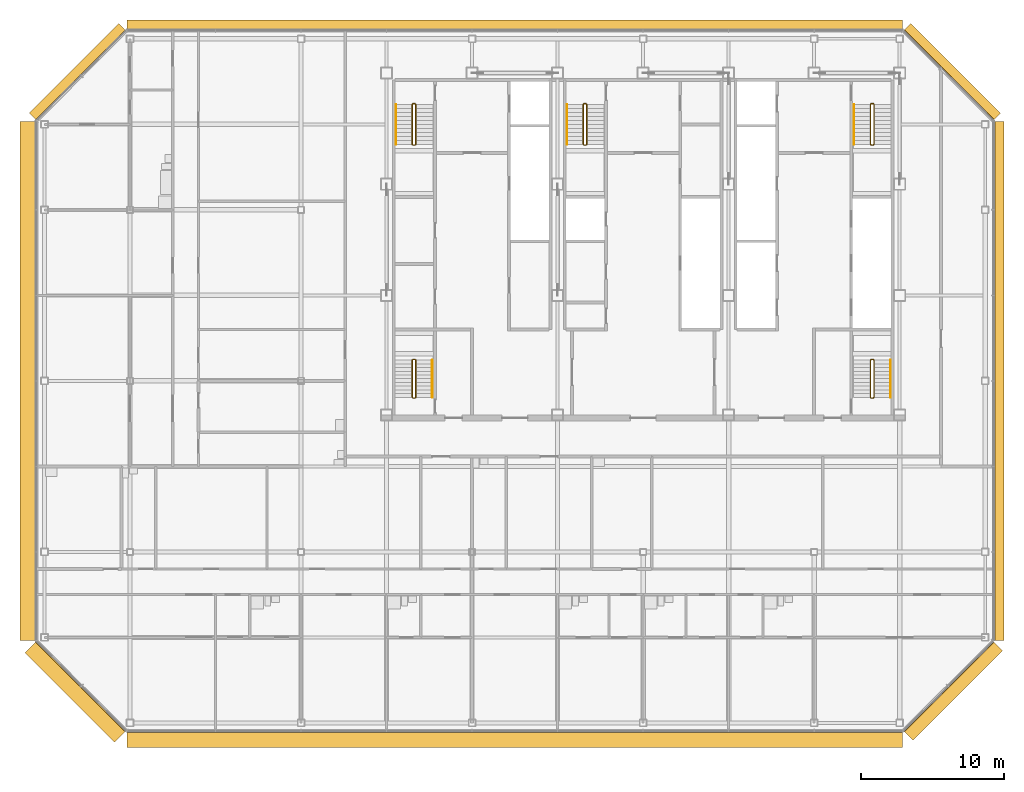
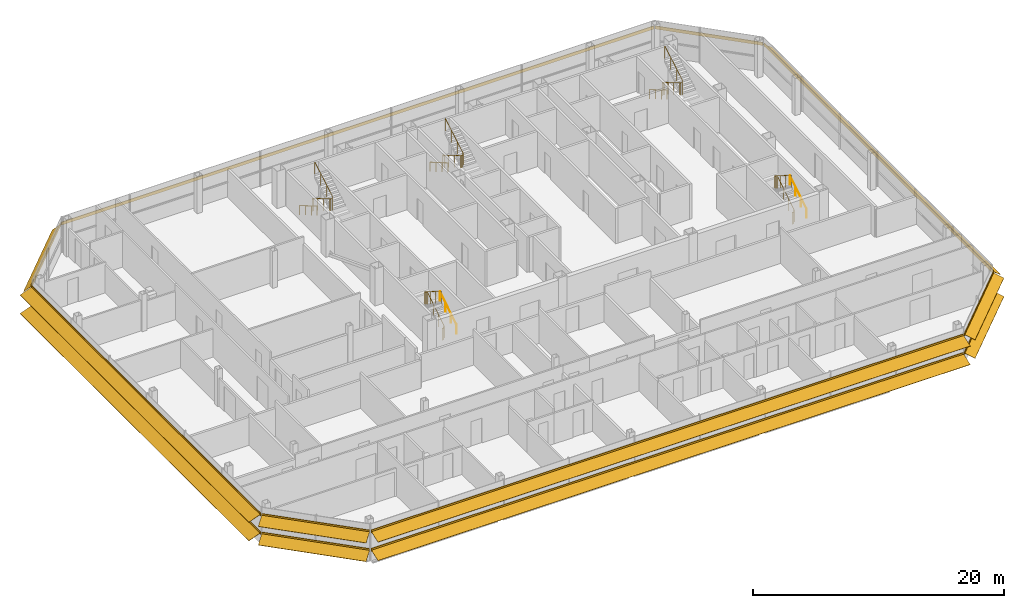
# One storey, part 27 of 28: 10 railings, 8 shading devices.
"""IFC4 building model written with IfcOpenShell, lengths in metres."""

from ifc_helpers import new_model, si_unit, direction, frame, origin, origin_2d, place, context, subcontext, project, spatial, polyline, circle, outline, composite_profile, extrude, material, type_object, element, save


model = new_model("IFC4")

# Units and contexts
model_context = context("Model", 3, precision=1e-05, world=origin(), true_north=direction((0.0, 1.0)))
body_context = subcontext(model_context, "Body", "Model", "MODEL_VIEW")
ifc_project = project(units=[si_unit("LENGTHUNIT", "METRE"), si_unit("AREAUNIT", "SQUARE_METRE"), si_unit("VOLUMEUNIT", "CUBIC_METRE"), si_unit("PLANEANGLEUNIT", "RADIAN"), si_unit("MASSUNIT", "GRAM", prefix="KILO")], contexts=[model_context])

# Site, building, storey
site_placement = place(None, origin())
site = spatial("IfcSite", under=ifc_project, at=site_placement, CompositionType="ELEMENT")
building_placement = place(site_placement, origin())
building = spatial("IfcBuilding", under=site, at=building_placement, Name="Sorahane Residences", CompositionType="ELEMENT")
storey_placement = place(building_placement, frame((0.0, 0.0, 308.800048828125)))
storey = spatial("IfcBuildingStorey", under=building, at=storey_placement, Name="L73", CompositionType="ELEMENT", Elevation=308.800048828125)

# Shading devices
ifc_material_1 = material(Name="Terracotta anodised aluminium", Category="masonry")
shading_device_type_1 = type_object("IfcShadingDeviceType", Name="Louvre sunshade blade E terracotta aluminium 700", PredefinedType="JALOUSIE", material=ifc_material_1)
shading_device_1_placement = place(storey_placement, frame((48.60009765625, 5.801513671875, 2.699951171875), z_axis=(0.0, 1.0, 0.0), x_axis=(-1.0, 0.0, 0.0)))
element("IfcShadingDevice", 1, at=shading_device_1_placement, inside=storey, type_object=shading_device_type_1, Name="Louvre sunshade blade bank E L73 E1", PredefinedType="JALOUSIE", context=body_context, shape_type="SweptSolid", body=[
    extrude(outline(polyline([(-0.719970703125, -0.49365234375), (-0.719970703125, -0.523681640625), (-0.080078125, -0.05859375), (-0.080078125, -0.14990234375), (-0.02001953125, -0.14990234375), (-0.02001953125, -0.014892578125), (-0.02001953125, 0.014892578125), (-0.02001953125, 0.14990234375), (-0.080078125, 0.14990234375), (-0.080078125, -0.028564453125), (-0.719970703125, -0.49365234375)])), origin(), (0.0, 0.0, 1.0), 36.39697265625),
])
ifc_material_2 = material(Name="Terracotta anodised aluminium", Category="masonry")
shading_device_type_2 = type_object("IfcShadingDeviceType", Name="Louvre sunshade blade N terracotta aluminium 700", PredefinedType="JALOUSIE", material=ifc_material_2)
shading_device_2_placement = place(storey_placement, frame((42.198486328125, 48.60009765625, 2.699951171875), z_axis=(-1.0, 0.0, 0.0), x_axis=(0.0, -1.0, 0.0)))
element("IfcShadingDevice", 2, at=shading_device_2_placement, inside=storey, type_object=shading_device_type_2, Name="Louvre sunshade blade bank N L73 N1", PredefinedType="JALOUSIE", context=body_context, shape_type="SweptSolid", body=[
    extrude(outline(polyline([(-0.719970703125, -0.660888671875), (-0.719970703125, -0.69091796875), (-0.080078125, -0.072998046875), (-0.080078125, -0.14990234375), (-0.02001953125, -0.14990234375), (-0.02001953125, -0.014892578125), (-0.02001953125, 0.014892578125), (-0.02001953125, 0.14990234375), (-0.080078125, 0.14990234375), (-0.080078125, -0.04296875), (-0.719970703125, -0.660888671875)])), origin(), (0.0, 0.0, 1.0), 54.39697265625),
])
ifc_material_3 = material(Name="Terracotta anodised aluminium", Category="masonry")
shading_device_type_3 = type_object("IfcShadingDeviceType", Name="Louvre sunshade blade NE terracotta aluminium 700", PredefinedType="JALOUSIE", material=ifc_material_3)
shading_device_3_placement = place(storey_placement, frame((48.564697265625, 42.283935546875, 2.699951171875), z_axis=(-0.707106781187, 0.707106781187, 0.0), x_axis=(-0.707106781187, -0.707106781187, 0.0)))
element("IfcShadingDevice", 3, at=shading_device_3_placement, inside=storey, type_object=shading_device_type_3, Name="Louvre sunshade blade bank NE L73 NE1", PredefinedType="JALOUSIE", context=body_context, shape_type="SweptSolid", body=[
    extrude(outline(polyline([(-0.719970703125, -0.572509765625), (-0.719970703125, -0.602294921875), (-0.080078125, -0.065185546875), (-0.080078125, -0.14990234375), (-0.02001953125, -0.14990234375), (-0.02001953125, -0.014892578125), (-0.02001953125, 0.014892578125), (-0.02001953125, 0.14990234375), (-0.080078125, 0.14990234375), (-0.080078125, -0.035400390625), (-0.719970703125, -0.572509765625)])), origin(), (0.0, 0.0, 1.0), 8.88232421875),
])
ifc_material_4 = material(Name="Terracotta anodised aluminium", Category="masonry")
shading_device_type_4 = type_object("IfcShadingDeviceType", Name="Louvre sunshade blade NW terracotta aluminium 700", PredefinedType="JALOUSIE", material=ifc_material_4)
shading_device_4_placement = place(storey_placement, frame((-12.283935546875, 48.564697265625, 2.699951171875), z_axis=(-0.707106781187, -0.707106781187, 0.0), x_axis=(0.707106781187, -0.707106781187, 0.0)))
element("IfcShadingDevice", 4, at=shading_device_4_placement, inside=storey, type_object=shading_device_type_4, Name="Louvre sunshade blade bank NW L73 NW1", PredefinedType="JALOUSIE", context=body_context, shape_type="SweptSolid", body=[
    extrude(outline(polyline([(-0.719970703125, -0.660888671875), (-0.719970703125, -0.69091796875), (-0.080078125, -0.072998046875), (-0.080078125, -0.14990234375), (-0.02001953125, -0.14990234375), (-0.02001953125, -0.014892578125), (-0.02001953125, 0.014892578125), (-0.02001953125, 0.14990234375), (-0.080078125, 0.14990234375), (-0.080078125, -0.04296875), (-0.719970703125, -0.660888671875)])), origin(), (0.0, 0.0, 1.0), 8.88232421875),
])
ifc_material_5 = material(Name="Terracotta anodised aluminium", Category="masonry")
shading_device_type_5 = type_object("IfcShadingDeviceType", Name="Louvre sunshade blade S terracotta aluminium 1100", PredefinedType="JALOUSIE", material=ifc_material_5)
shading_device_5_placement = place(storey_placement, frame((-12.198486328125, -0.60009765625, 0.89990234375), z_axis=(1.0, 0.0, 0.0), x_axis=(0.0, 1.0, 0.0)))
element("IfcShadingDevice", 5, at=shading_device_5_placement, inside=storey, type_object=shading_device_type_5, Name="Louvre sunshade blade bank S L73 S1", PredefinedType="JALOUSIE", context=body_context, shape_type="SweptSolid", body=[
    extrude(composite_profile([outline(polyline([(-1.1201171875, -0.385498046875), (-1.1201171875, -0.415283203125), (-0.080078125, -0.036865234375), (-0.080078125, -0.14990234375), (-0.02001953125, -0.14990234375), (-0.02001953125, -0.014892578125), (-0.02001953125, 0.014892578125), (-0.02001953125, 0.14990234375), (-0.080078125, 0.14990234375), (-0.080078125, -0.0068359375), (-1.1201171875, -0.385498046875)])), outline(polyline([(-1.1201171875, 1.41455078125), (-1.1201171875, 1.384521484375), (-0.080078125, 1.76318359375), (-0.080078125, 1.64990234375), (-0.02001953125, 1.64990234375), (-0.02001953125, 1.784912109375), (-0.02001953125, 1.81494140625), (-0.02001953125, 1.949951171875), (-0.080078125, 1.949951171875), (-0.080078125, 1.793212890625), (-1.1201171875, 1.41455078125)]))]), origin(), (0.0, 0.0, 1.0), 54.39697265625),
])
ifc_material_6 = material(Name="Terracotta anodised aluminium", Category="masonry")
shading_device_type_6 = type_object("IfcShadingDeviceType", Name="Louvre sunshade blade SE terracotta aluminium 900", PredefinedType="JALOUSIE", material=ifc_material_6)
shading_device_6_placement = place(storey_placement, frame((42.283935546875, -0.564697265625, 0.89990234375), z_axis=(0.707106781187, 0.707106781187, 0.0), x_axis=(-0.707106781187, 0.707106781187, 0.0)))
element("IfcShadingDevice", 6, at=shading_device_6_placement, inside=storey, type_object=shading_device_type_6, Name="Louvre sunshade blade bank SE L73 SE1", PredefinedType="JALOUSIE", context=body_context, shape_type="SweptSolid", body=[
    extrude(composite_profile([outline(polyline([(-0.919921875, -0.3486328125), (-0.919921875, -0.378662109375), (-0.080078125, -0.039306640625), (-0.080078125, -0.14990234375), (-0.02001953125, -0.14990234375), (-0.02001953125, -0.014892578125), (-0.02001953125, 0.014892578125), (-0.02001953125, 0.14990234375), (-0.080078125, 0.14990234375), (-0.080078125, -0.00927734375), (-0.919921875, -0.3486328125)])), outline(polyline([(-0.919921875, 1.451416015625), (-0.919921875, 1.42138671875), (-0.080078125, 1.7607421875), (-0.080078125, 1.64990234375), (-0.02001953125, 1.64990234375), (-0.02001953125, 1.784912109375), (-0.02001953125, 1.81494140625), (-0.02001953125, 1.949951171875), (-0.080078125, 1.949951171875), (-0.080078125, 1.790771484375), (-0.919921875, 1.451416015625)]))]), origin(), (0.0, 0.0, 1.0), 8.88232421875),
])
ifc_material_7 = material(Name="Terracotta anodised aluminium", Category="masonry")
shading_device_type_7 = type_object("IfcShadingDeviceType", Name="Louvre sunshade blade SW terracotta aluminium 1100", PredefinedType="JALOUSIE", material=ifc_material_7)
shading_device_7_placement = place(storey_placement, frame((-18.564697265625, 5.716064453125, 0.89990234375), z_axis=(0.707106781187, -0.707106781187, 0.0), x_axis=(0.707106781187, 0.707106781187, 0.0)))
element("IfcShadingDevice", 7, at=shading_device_7_placement, inside=storey, type_object=shading_device_type_7, Name="Louvre sunshade blade bank SW L73 SW1", PredefinedType="JALOUSIE", context=body_context, shape_type="SweptSolid", body=[
    extrude(composite_profile([outline(polyline([(-1.1201171875, -0.385498046875), (-1.1201171875, -0.415283203125), (-0.080078125, -0.036865234375), (-0.080078125, -0.14990234375), (-0.02001953125, -0.14990234375), (-0.02001953125, -0.014892578125), (-0.02001953125, 0.014892578125), (-0.02001953125, 0.14990234375), (-0.080078125, 0.14990234375), (-0.080078125, -0.0068359375), (-1.1201171875, -0.385498046875)])), outline(polyline([(-1.1201171875, 1.41455078125), (-1.1201171875, 1.384521484375), (-0.080078125, 1.76318359375), (-0.080078125, 1.64990234375), (-0.02001953125, 1.64990234375), (-0.02001953125, 1.784912109375), (-0.02001953125, 1.81494140625), (-0.02001953125, 1.949951171875), (-0.080078125, 1.949951171875), (-0.080078125, 1.793212890625), (-1.1201171875, 1.41455078125)]))]), origin(), (0.0, 0.0, 1.0), 8.88232421875),
])
ifc_material_8 = material(Name="Terracotta anodised aluminium", Category="masonry")
shading_device_type_8 = type_object("IfcShadingDeviceType", Name="Louvre sunshade blade W terracotta aluminium 1100", PredefinedType="JALOUSIE", material=ifc_material_8)
shading_device_8_placement = place(storey_placement, frame((-18.60009765625, 42.198486328125, 0.89990234375), z_axis=(0.0, -1.0, 0.0), x_axis=(1.0, 0.0, 0.0)))
element("IfcShadingDevice", 8, at=shading_device_8_placement, inside=storey, type_object=shading_device_type_8, Name="Louvre sunshade blade bank W L73 W1", PredefinedType="JALOUSIE", context=body_context, shape_type="SweptSolid", body=[
    extrude(composite_profile([outline(polyline([(-1.1201171875, -0.385498046875), (-1.1201171875, -0.415283203125), (-0.080078125, -0.036865234375), (-0.080078125, -0.14990234375), (-0.02001953125, -0.14990234375), (-0.02001953125, -0.014892578125), (-0.02001953125, 0.014892578125), (-0.02001953125, 0.14990234375), (-0.080078125, 0.14990234375), (-0.080078125, -0.0068359375), (-1.1201171875, -0.385498046875)])), outline(polyline([(-1.1201171875, 1.41455078125), (-1.1201171875, 1.384521484375), (-0.080078125, 1.76318359375), (-0.080078125, 1.64990234375), (-0.02001953125, 1.64990234375), (-0.02001953125, 1.784912109375), (-0.02001953125, 1.81494140625), (-0.02001953125, 1.949951171875), (-0.080078125, 1.949951171875), (-0.080078125, 1.793212890625), (-1.1201171875, 1.41455078125)]))]), origin(), (0.0, 0.0, 1.0), 36.39697265625),
])

# Railings
ifc_material_9 = material(Name="Steel Q355B", Category="steel")
railing_type_1 = type_object("IfcRailingType", Name="Stair guard 1200 Steel Q355B", PredefinedType="GUARDRAIL", material=ifc_material_9)
railing_1_placement = place(storey_placement, frame((8.0, 43.449951171875, 0.0)))
element("IfcRailing", 9, at=railing_1_placement, inside=storey, type_object=railing_type_1, Name="L73 S1 stair guard 1", PredefinedType="GUARDRAIL", context=body_context, shape_type="SweptSolid", body=[
    extrude(circle(Radius=0.02392578125, at=origin_2d()), frame((0.0, 0.0, 1.17578125), z_axis=(-1.0, 0.0, 0.0), x_axis=(0.0, -1.0, 0.0)), (0.0, 0.0, 1.0), 0.14990234375),
    extrude(circle(Radius=0.02392578125, at=origin_2d()), frame((-0.14990234375, 0.0, 1.17578125), z_axis=(-0.280808744504, -0.280808744504, 0.917765164963), x_axis=(0.707106781187, -0.707106781187, 0.0)), (0.0, 0.0, 1.0), 0.17822265625),
    extrude(circle(Radius=0.02392578125, at=origin_2d()), frame((-0.199951171875, -0.050048828125, 1.33935546875), z_axis=(0.0, -0.863341702679, 0.504619762213), x_axis=(1.0, 0.0, 0.0)), (0.0, 0.0, 1.0), 3.242919921875),
    extrude(circle(Radius=0.02392578125, at=origin_2d()), frame((-0.199951171875, -2.849853515625, 2.97607421875), z_axis=(0.707106781187, -0.707106781187, 0.0), x_axis=(0.707106781187, 0.707106781187, 0.0)), (0.0, 0.0, 1.0), 0.07080078125),
    extrude(circle(Radius=0.02392578125, at=origin_2d()), frame((-0.14990234375, -2.89990234375, 2.97607421875), z_axis=(1.0, 0.0, 0.0), x_axis=(0.0, 1.0, 0.0)), (0.0, 0.0, 1.0), 0.14990234375),
    extrude(circle(Radius=0.02392578125, at=origin_2d()), frame((0.0, -2.89990234375, 2.97607421875), z_axis=(0.280808744504, 0.280808744504, 0.917765164963), x_axis=(-0.707106781187, 0.707106781187, 0.0)), (0.0, 0.0, 1.0), 0.17822265625),
    extrude(circle(Radius=0.02392578125, at=origin_2d()), frame((0.050048828125, -2.849853515625, 3.1396484375), z_axis=(0.0, 0.863374499697, 0.504563646405), x_axis=(-1.0, 0.0, 0.0)), (0.0, 0.0, 1.0), 3.242919921875),
    extrude(circle(Radius=0.02099609375, at=origin_2d()), origin(), (0.0, 0.0, 1.0), 1.15185546875),
    extrude(circle(Radius=0.02099609375, at=origin_2d()), frame((-0.14990234375, 0.0, 0.0)), (0.0, 0.0, 1.0), 1.15185546875),
    extrude(circle(Radius=0.02099609375, at=origin_2d()), frame((-0.199951171875, -0.050048828125, 0.16357421875)), (0.0, 0.0, 1.0), 1.15185546875),
    extrude(circle(Radius=0.02099609375, at=origin_2d()), frame((-0.199951171875, -0.9833984375, 0.708984375)), (0.0, 0.0, 1.0), 1.15185546875),
    extrude(circle(Radius=0.02099609375, at=origin_2d()), frame((-0.199951171875, -1.91650390625, 1.254638671875)), (0.0, 0.0, 1.0), 1.15185546875),
    extrude(circle(Radius=0.02099609375, at=origin_2d()), frame((-0.199951171875, -2.849853515625, 1.800048828125)), (0.0, 0.0, 1.0), 1.15185546875),
    extrude(circle(Radius=0.02099609375, at=origin_2d()), frame((-0.14990234375, -2.89990234375, 1.800048828125)), (0.0, 0.0, 1.0), 1.15185546875),
    extrude(circle(Radius=0.02099609375, at=origin_2d()), frame((0.0, -2.89990234375, 1.800048828125)), (0.0, 0.0, 1.0), 1.15185546875),
    extrude(circle(Radius=0.02099609375, at=origin_2d()), frame((0.050048828125, -2.849853515625, 1.963623046875)), (0.0, 0.0, 1.0), 1.15185546875),
    extrude(circle(Radius=0.02099609375, at=origin_2d()), frame((0.050048828125, -1.91650390625, 2.509033203125)), (0.0, 0.0, 1.0), 1.15185546875),
    extrude(circle(Radius=0.02099609375, at=origin_2d()), frame((0.050048828125, -0.9833984375, 3.054443359375)), (0.0, 0.0, 1.0), 1.15185546875),
    extrude(circle(Radius=0.02099609375, at=origin_2d()), frame((0.050048828125, -0.050048828125, 3.599853515625)), (0.0, 0.0, 1.0), 1.15185546875),
])
railing_2_placement = place(storey_placement, frame((40.14990234375, 43.449951171875, 0.0)))
element("IfcRailing", 10, at=railing_2_placement, inside=storey, type_object=railing_type_1, Name="L73 S2 stair guard 1", PredefinedType="GUARDRAIL", context=body_context, shape_type="SweptSolid", body=[
    extrude(circle(Radius=0.02392578125, at=origin_2d()), frame((0.0, 0.0, 1.17578125), z_axis=(-1.0, 0.0, 0.0), x_axis=(0.0, -1.0, 0.0)), (0.0, 0.0, 1.0), 0.14990234375),
    extrude(circle(Radius=0.02392578125, at=origin_2d()), frame((-0.14990234375, 0.0, 1.17578125), z_axis=(-0.280808744504, -0.280808744504, 0.917765164963), x_axis=(0.707106781187, -0.707106781187, 0.0)), (0.0, 0.0, 1.0), 0.17822265625),
    extrude(circle(Radius=0.02392578125, at=origin_2d()), frame((-0.199951171875, -0.050048828125, 1.33935546875), z_axis=(0.0, -0.863341702679, 0.504619762213), x_axis=(1.0, 0.0, 0.0)), (0.0, 0.0, 1.0), 3.242919921875),
    extrude(circle(Radius=0.02392578125, at=origin_2d()), frame((-0.199951171875, -2.849853515625, 2.97607421875), z_axis=(0.707106781187, -0.707106781187, 0.0), x_axis=(0.707106781187, 0.707106781187, 0.0)), (0.0, 0.0, 1.0), 0.07080078125),
    extrude(circle(Radius=0.02392578125, at=origin_2d()), frame((-0.14990234375, -2.89990234375, 2.97607421875), z_axis=(1.0, 0.0, 0.0), x_axis=(0.0, 1.0, 0.0)), (0.0, 0.0, 1.0), 0.14990234375),
    extrude(circle(Radius=0.02392578125, at=origin_2d()), frame((0.0, -2.89990234375, 2.97607421875), z_axis=(0.280808744504, 0.280808744504, 0.917765164963), x_axis=(-0.707106781187, 0.707106781187, 0.0)), (0.0, 0.0, 1.0), 0.17822265625),
    extrude(circle(Radius=0.02392578125, at=origin_2d()), frame((0.050048828125, -2.849853515625, 3.1396484375), z_axis=(0.0, 0.863374499697, 0.504563646405), x_axis=(-1.0, 0.0, 0.0)), (0.0, 0.0, 1.0), 3.242919921875),
    extrude(circle(Radius=0.02099609375, at=origin_2d()), origin(), (0.0, 0.0, 1.0), 1.15185546875),
    extrude(circle(Radius=0.02099609375, at=origin_2d()), frame((-0.14990234375, 0.0, 0.0)), (0.0, 0.0, 1.0), 1.15185546875),
    extrude(circle(Radius=0.02099609375, at=origin_2d()), frame((-0.199951171875, -0.050048828125, 0.16357421875)), (0.0, 0.0, 1.0), 1.15185546875),
    extrude(circle(Radius=0.02099609375, at=origin_2d()), frame((-0.199951171875, -0.9833984375, 0.708984375)), (0.0, 0.0, 1.0), 1.15185546875),
    extrude(circle(Radius=0.02099609375, at=origin_2d()), frame((-0.199951171875, -1.91650390625, 1.254638671875)), (0.0, 0.0, 1.0), 1.15185546875),
    extrude(circle(Radius=0.02099609375, at=origin_2d()), frame((-0.199951171875, -2.849853515625, 1.800048828125)), (0.0, 0.0, 1.0), 1.15185546875),
    extrude(circle(Radius=0.02099609375, at=origin_2d()), frame((-0.14990234375, -2.89990234375, 1.800048828125)), (0.0, 0.0, 1.0), 1.15185546875),
    extrude(circle(Radius=0.02099609375, at=origin_2d()), frame((0.0, -2.89990234375, 1.800048828125)), (0.0, 0.0, 1.0), 1.15185546875),
    extrude(circle(Radius=0.02099609375, at=origin_2d()), frame((0.050048828125, -2.849853515625, 1.963623046875)), (0.0, 0.0, 1.0), 1.15185546875),
    extrude(circle(Radius=0.02099609375, at=origin_2d()), frame((0.050048828125, -1.91650390625, 2.509033203125)), (0.0, 0.0, 1.0), 1.15185546875),
    extrude(circle(Radius=0.02099609375, at=origin_2d()), frame((0.050048828125, -0.9833984375, 3.054443359375)), (0.0, 0.0, 1.0), 1.15185546875),
    extrude(circle(Radius=0.02099609375, at=origin_2d()), frame((0.050048828125, -0.050048828125, 3.599853515625)), (0.0, 0.0, 1.0), 1.15185546875),
])
railing_3_placement = place(storey_placement, frame((20.0, 43.449951171875, 0.0)))
element("IfcRailing", 11, at=railing_3_placement, inside=storey, type_object=railing_type_1, Name="L73 S3 stair guard 1", PredefinedType="GUARDRAIL", context=body_context, shape_type="SweptSolid", body=[
    extrude(circle(Radius=0.02392578125, at=origin_2d()), frame((0.0, 0.0, 1.17578125), z_axis=(-1.0, 0.0, 0.0), x_axis=(0.0, -1.0, 0.0)), (0.0, 0.0, 1.0), 0.14990234375),
    extrude(circle(Radius=0.02392578125, at=origin_2d()), frame((-0.14990234375, 0.0, 1.17578125), z_axis=(-0.280808744504, -0.280808744504, 0.917765164963), x_axis=(0.707106781187, -0.707106781187, 0.0)), (0.0, 0.0, 1.0), 0.17822265625),
    extrude(circle(Radius=0.02392578125, at=origin_2d()), frame((-0.199951171875, -0.050048828125, 1.33935546875), z_axis=(0.0, -0.863341702679, 0.504619762213), x_axis=(1.0, 0.0, 0.0)), (0.0, 0.0, 1.0), 3.242919921875),
    extrude(circle(Radius=0.02392578125, at=origin_2d()), frame((-0.199951171875, -2.849853515625, 2.97607421875), z_axis=(0.707106781187, -0.707106781187, 0.0), x_axis=(0.707106781187, 0.707106781187, 0.0)), (0.0, 0.0, 1.0), 0.07080078125),
    extrude(circle(Radius=0.02392578125, at=origin_2d()), frame((-0.14990234375, -2.89990234375, 2.97607421875), z_axis=(1.0, 0.0, 0.0), x_axis=(0.0, 1.0, 0.0)), (0.0, 0.0, 1.0), 0.14990234375),
    extrude(circle(Radius=0.02392578125, at=origin_2d()), frame((0.0, -2.89990234375, 2.97607421875), z_axis=(0.280808744504, 0.280808744504, 0.917765164963), x_axis=(-0.707106781187, 0.707106781187, 0.0)), (0.0, 0.0, 1.0), 0.17822265625),
    extrude(circle(Radius=0.02392578125, at=origin_2d()), frame((0.050048828125, -2.849853515625, 3.1396484375), z_axis=(0.0, 0.863374499697, 0.504563646405), x_axis=(-1.0, 0.0, 0.0)), (0.0, 0.0, 1.0), 3.242919921875),
    extrude(circle(Radius=0.02099609375, at=origin_2d()), origin(), (0.0, 0.0, 1.0), 1.15185546875),
    extrude(circle(Radius=0.02099609375, at=origin_2d()), frame((-0.14990234375, 0.0, 0.0)), (0.0, 0.0, 1.0), 1.15185546875),
    extrude(circle(Radius=0.02099609375, at=origin_2d()), frame((-0.199951171875, -0.050048828125, 0.16357421875)), (0.0, 0.0, 1.0), 1.15185546875),
    extrude(circle(Radius=0.02099609375, at=origin_2d()), frame((-0.199951171875, -0.9833984375, 0.708984375)), (0.0, 0.0, 1.0), 1.15185546875),
    extrude(circle(Radius=0.02099609375, at=origin_2d()), frame((-0.199951171875, -1.91650390625, 1.254638671875)), (0.0, 0.0, 1.0), 1.15185546875),
    extrude(circle(Radius=0.02099609375, at=origin_2d()), frame((-0.199951171875, -2.849853515625, 1.800048828125)), (0.0, 0.0, 1.0), 1.15185546875),
    extrude(circle(Radius=0.02099609375, at=origin_2d()), frame((-0.14990234375, -2.89990234375, 1.800048828125)), (0.0, 0.0, 1.0), 1.15185546875),
    extrude(circle(Radius=0.02099609375, at=origin_2d()), frame((0.0, -2.89990234375, 1.800048828125)), (0.0, 0.0, 1.0), 1.15185546875),
    extrude(circle(Radius=0.02099609375, at=origin_2d()), frame((0.050048828125, -2.849853515625, 1.963623046875)), (0.0, 0.0, 1.0), 1.15185546875),
    extrude(circle(Radius=0.02099609375, at=origin_2d()), frame((0.050048828125, -1.91650390625, 2.509033203125)), (0.0, 0.0, 1.0), 1.15185546875),
    extrude(circle(Radius=0.02099609375, at=origin_2d()), frame((0.050048828125, -0.9833984375, 3.054443359375)), (0.0, 0.0, 1.0), 1.15185546875),
    extrude(circle(Radius=0.02099609375, at=origin_2d()), frame((0.050048828125, -0.050048828125, 3.599853515625)), (0.0, 0.0, 1.0), 1.15185546875),
])
railing_4_placement = place(storey_placement, frame((7.85009765625, 22.800048828125, 0.0)))
element("IfcRailing", 12, at=railing_4_placement, inside=storey, type_object=railing_type_1, Name="L73 S4 stair guard 1", PredefinedType="GUARDRAIL", context=body_context, shape_type="SweptSolid", body=[
    extrude(circle(Radius=0.02392578125, at=origin_2d()), frame((0.0, 0.0, 1.17578125), z_axis=(1.0, 0.0, 0.0), x_axis=(0.0, 1.0, 0.0)), (0.0, 0.0, 1.0), 0.14990234375),
    extrude(circle(Radius=0.02392578125, at=origin_2d()), frame((0.14990234375, 0.0, 1.17578125), z_axis=(0.280808744504, 0.280808744504, 0.917765164963), x_axis=(-0.707106781187, 0.707106781187, 0.0)), (0.0, 0.0, 1.0), 0.17822265625),
    extrude(circle(Radius=0.02392578125, at=origin_2d()), frame((0.199951171875, 0.050048828125, 1.33935546875), z_axis=(0.0, 0.846301844409, 0.532703658848), x_axis=(-1.0, 0.0, 0.0)), (0.0, 0.0, 1.0), 3.072021484375),
    extrude(circle(Radius=0.02392578125, at=origin_2d()), frame((0.199951171875, 2.64990234375, 2.97607421875), z_axis=(-0.707106781187, 0.707106781187, 0.0), x_axis=(-0.707106781187, -0.707106781187, 0.0)), (0.0, 0.0, 1.0), 0.07080078125),
    extrude(circle(Radius=0.02392578125, at=origin_2d()), frame((0.14990234375, 2.699951171875, 2.97607421875), z_axis=(-1.0, 0.0, 0.0), x_axis=(0.0, -1.0, 0.0)), (0.0, 0.0, 1.0), 0.14990234375),
    extrude(circle(Radius=0.02392578125, at=origin_2d()), frame((0.0, 2.699951171875, 2.97607421875), z_axis=(-0.280808744504, -0.280808744504, 0.917765164963), x_axis=(0.707106781187, -0.707106781187, 0.0)), (0.0, 0.0, 1.0), 0.17822265625),
    extrude(circle(Radius=0.02392578125, at=origin_2d()), frame((-0.050048828125, 2.64990234375, 3.1396484375), z_axis=(0.0, -0.846337672412, 0.532646734952), x_axis=(1.0, 0.0, 0.0)), (0.0, 0.0, 1.0), 3.07177734375),
    extrude(circle(Radius=0.02099609375, at=origin_2d()), origin(), (0.0, 0.0, 1.0), 1.15185546875),
    extrude(circle(Radius=0.02099609375, at=origin_2d()), frame((0.14990234375, 0.0, 0.0)), (0.0, 0.0, 1.0), 1.15185546875),
    extrude(circle(Radius=0.02099609375, at=origin_2d()), frame((0.199951171875, 0.050048828125, 0.16357421875)), (0.0, 0.0, 1.0), 1.15185546875),
    extrude(circle(Radius=0.02099609375, at=origin_2d()), frame((0.199951171875, 0.916748046875, 0.708984375)), (0.0, 0.0, 1.0), 1.15185546875),
    extrude(circle(Radius=0.02099609375, at=origin_2d()), frame((0.199951171875, 1.783203125, 1.254638671875)), (0.0, 0.0, 1.0), 1.15185546875),
    extrude(circle(Radius=0.02099609375, at=origin_2d()), frame((0.199951171875, 2.64990234375, 1.800048828125)), (0.0, 0.0, 1.0), 1.15185546875),
    extrude(circle(Radius=0.02099609375, at=origin_2d()), frame((0.14990234375, 2.699951171875, 1.800048828125)), (0.0, 0.0, 1.0), 1.15185546875),
    extrude(circle(Radius=0.02099609375, at=origin_2d()), frame((0.0, 2.699951171875, 1.800048828125)), (0.0, 0.0, 1.0), 1.15185546875),
    extrude(circle(Radius=0.02099609375, at=origin_2d()), frame((-0.050048828125, 2.64990234375, 1.963623046875)), (0.0, 0.0, 1.0), 1.15185546875),
    extrude(circle(Radius=0.02099609375, at=origin_2d()), frame((-0.050048828125, 1.783203125, 2.509033203125)), (0.0, 0.0, 1.0), 1.15185546875),
    extrude(circle(Radius=0.02099609375, at=origin_2d()), frame((-0.050048828125, 0.916748046875, 3.054443359375)), (0.0, 0.0, 1.0), 1.15185546875),
    extrude(circle(Radius=0.02099609375, at=origin_2d()), frame((-0.050048828125, 0.050048828125, 3.599853515625)), (0.0, 0.0, 1.0), 1.15185546875),
])
railing_5_placement = place(storey_placement, frame((40.0, 22.800048828125, 0.0)))
element("IfcRailing", 13, at=railing_5_placement, inside=storey, type_object=railing_type_1, Name="L73 S5 stair guard 1", PredefinedType="GUARDRAIL", context=body_context, shape_type="SweptSolid", body=[
    extrude(circle(Radius=0.02392578125, at=origin_2d()), frame((0.0, 0.0, 1.17578125), z_axis=(1.0, 0.0, 0.0), x_axis=(0.0, 1.0, 0.0)), (0.0, 0.0, 1.0), 0.14990234375),
    extrude(circle(Radius=0.02392578125, at=origin_2d()), frame((0.14990234375, 0.0, 1.17578125), z_axis=(0.280808744504, 0.280808744504, 0.917765164963), x_axis=(-0.707106781187, 0.707106781187, 0.0)), (0.0, 0.0, 1.0), 0.17822265625),
    extrude(circle(Radius=0.02392578125, at=origin_2d()), frame((0.199951171875, 0.050048828125, 1.33935546875), z_axis=(0.0, 0.846301844409, 0.532703658848), x_axis=(-1.0, 0.0, 0.0)), (0.0, 0.0, 1.0), 3.072021484375),
    extrude(circle(Radius=0.02392578125, at=origin_2d()), frame((0.199951171875, 2.64990234375, 2.97607421875), z_axis=(-0.707106781187, 0.707106781187, 0.0), x_axis=(-0.707106781187, -0.707106781187, 0.0)), (0.0, 0.0, 1.0), 0.07080078125),
    extrude(circle(Radius=0.02392578125, at=origin_2d()), frame((0.14990234375, 2.699951171875, 2.97607421875), z_axis=(-1.0, 0.0, 0.0), x_axis=(0.0, -1.0, 0.0)), (0.0, 0.0, 1.0), 0.14990234375),
    extrude(circle(Radius=0.02392578125, at=origin_2d()), frame((0.0, 2.699951171875, 2.97607421875), z_axis=(-0.280808744504, -0.280808744504, 0.917765164963), x_axis=(0.707106781187, -0.707106781187, 0.0)), (0.0, 0.0, 1.0), 0.17822265625),
    extrude(circle(Radius=0.02392578125, at=origin_2d()), frame((-0.050048828125, 2.64990234375, 3.1396484375), z_axis=(0.0, -0.846337672412, 0.532646734952), x_axis=(1.0, 0.0, 0.0)), (0.0, 0.0, 1.0), 3.07177734375),
    extrude(circle(Radius=0.02099609375, at=origin_2d()), origin(), (0.0, 0.0, 1.0), 1.15185546875),
    extrude(circle(Radius=0.02099609375, at=origin_2d()), frame((0.14990234375, 0.0, 0.0)), (0.0, 0.0, 1.0), 1.15185546875),
    extrude(circle(Radius=0.02099609375, at=origin_2d()), frame((0.199951171875, 0.050048828125, 0.16357421875)), (0.0, 0.0, 1.0), 1.15185546875),
    extrude(circle(Radius=0.02099609375, at=origin_2d()), frame((0.199951171875, 0.916748046875, 0.708984375)), (0.0, 0.0, 1.0), 1.15185546875),
    extrude(circle(Radius=0.02099609375, at=origin_2d()), frame((0.199951171875, 1.783203125, 1.254638671875)), (0.0, 0.0, 1.0), 1.15185546875),
    extrude(circle(Radius=0.02099609375, at=origin_2d()), frame((0.199951171875, 2.64990234375, 1.800048828125)), (0.0, 0.0, 1.0), 1.15185546875),
    extrude(circle(Radius=0.02099609375, at=origin_2d()), frame((0.14990234375, 2.699951171875, 1.800048828125)), (0.0, 0.0, 1.0), 1.15185546875),
    extrude(circle(Radius=0.02099609375, at=origin_2d()), frame((0.0, 2.699951171875, 1.800048828125)), (0.0, 0.0, 1.0), 1.15185546875),
    extrude(circle(Radius=0.02099609375, at=origin_2d()), frame((-0.050048828125, 2.64990234375, 1.963623046875)), (0.0, 0.0, 1.0), 1.15185546875),
    extrude(circle(Radius=0.02099609375, at=origin_2d()), frame((-0.050048828125, 1.783203125, 2.509033203125)), (0.0, 0.0, 1.0), 1.15185546875),
    extrude(circle(Radius=0.02099609375, at=origin_2d()), frame((-0.050048828125, 0.916748046875, 3.054443359375)), (0.0, 0.0, 1.0), 1.15185546875),
    extrude(circle(Radius=0.02099609375, at=origin_2d()), frame((-0.050048828125, 0.050048828125, 3.599853515625)), (0.0, 0.0, 1.0), 1.15185546875),
])
ifc_material_10 = material(Name="Steel Q355B", Category="steel")
railing_type_2 = type_object("IfcRailingType", Name="Stair handrail 900 Steel Q355B", PredefinedType="HANDRAIL", material=ifc_material_10)
for number, where, name in (
    (14, (6.64990234375, 43.39990234375, 0.16357421875), "L73 S1 stair handrail 1"),
    (15, (38.800048828125, 43.39990234375, 0.16357421875), "L73 S2 stair handrail 1"),
    (16, (18.64990234375, 43.39990234375, 0.16357421875), "L73 S3 stair handrail 1"),
):
    element("IfcRailing", number, at=place(storey_placement, frame(where)), inside=storey, type_object=railing_type_2, Name=name, PredefinedType="HANDRAIL", context=body_context, shape_type="SweptSolid", body=[
        extrude(circle(Radius=0.02392578125, at=origin_2d()), frame((0.0, 0.0, 0.8759765625), z_axis=(0.0, -0.863341702679, 0.504619762213), x_axis=(1.0, 0.0, 0.0)), (0.0, 0.0, 1.0), 3.242919921875),
        extrude(circle(Radius=0.02099609375, at=origin_2d()), origin(), (0.0, 0.0, 1.0), 0.851806640625),
        extrude(circle(Radius=0.02099609375, at=origin_2d()), frame((0.0, -0.933349609375, 0.54541015625)), (0.0, 0.0, 1.0), 0.851806640625),
        extrude(circle(Radius=0.02099609375, at=origin_2d()), frame((0.0, -1.866455078125, 1.091064453125)), (0.0, 0.0, 1.0), 0.851806640625),
        extrude(circle(Radius=0.02099609375, at=origin_2d()), frame((0.0, -2.7998046875, 1.636474609375)), (0.0, 0.0, 1.0), 0.851806640625),
    ])
for number, where, name in (
    (17, (9.199951171875, 22.85009765625, 0.16357421875), "L73 S4 stair handrail 1"),
    (18, (41.35009765625, 22.85009765625, 0.16357421875), "L73 S5 stair handrail 1"),
):
    element("IfcRailing", number, at=place(storey_placement, frame(where)), inside=storey, type_object=railing_type_2, Name=name, PredefinedType="HANDRAIL", context=body_context, shape_type="SweptSolid", body=[
        extrude(circle(Radius=0.02392578125, at=origin_2d()), frame((0.0, 0.0, 0.8759765625), z_axis=(0.0, 0.846301844409, 0.532703658848), x_axis=(-1.0, 0.0, 0.0)), (0.0, 0.0, 1.0), 3.072021484375),
        extrude(circle(Radius=0.02099609375, at=origin_2d()), origin(), (0.0, 0.0, 1.0), 0.851806640625),
        extrude(circle(Radius=0.02099609375, at=origin_2d()), frame((0.0, 0.86669921875, 0.54541015625)), (0.0, 0.0, 1.0), 0.851806640625),
        extrude(circle(Radius=0.02099609375, at=origin_2d()), frame((0.0, 1.733154296875, 1.091064453125)), (0.0, 0.0, 1.0), 0.851806640625),
        extrude(circle(Radius=0.02099609375, at=origin_2d()), frame((0.0, 2.599853515625, 1.636474609375)), (0.0, 0.0, 1.0), 0.851806640625),
    ])

save(model, "model.ifc")
